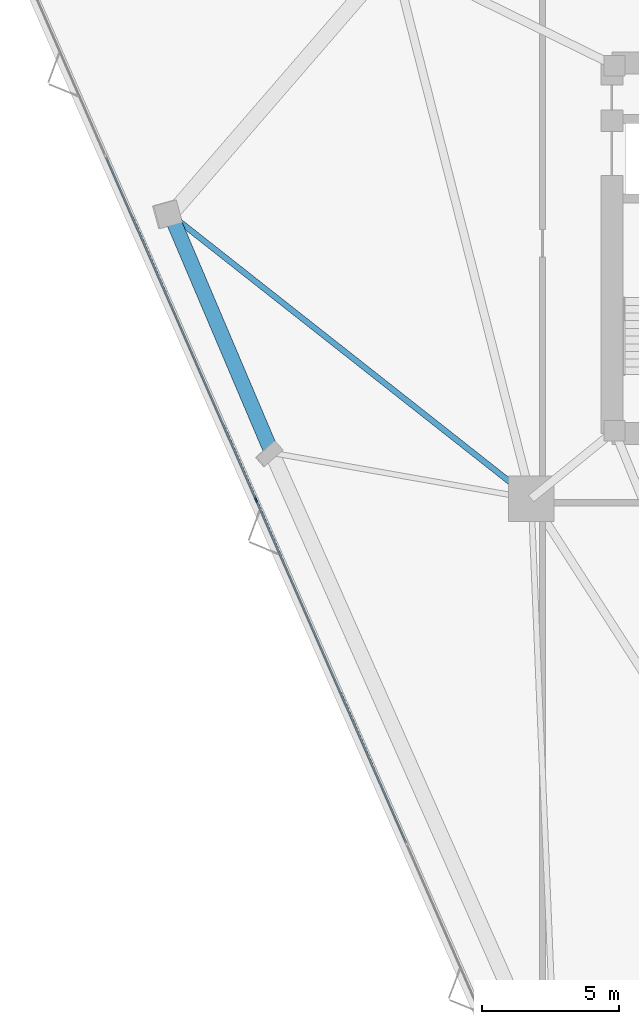
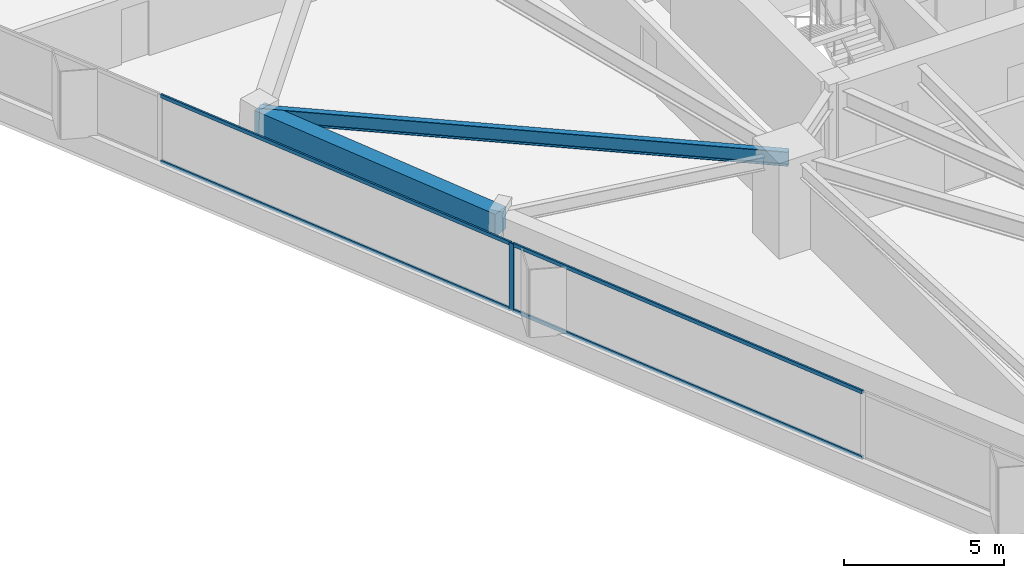
# One storey, part 6 of 20: 5 members, 2 beams, 1 element without a shape of its own.
"""IFC4 building model written with IfcOpenShell, lengths in metres."""

from ifc_helpers import new_model, si_unit, direction, frame, origin, origin_2d, place, context, subcontext, project, spatial, rectangle, i_section, extrude, material, layer, layer_set, material_profile, profile_set, type_object, element, aggregate, save


model = new_model("IFC4")

# Units and contexts
model_context = context("Model", 3, precision=1e-05, world=origin(), true_north=direction((0.0, 1.0)))
body_context = subcontext(model_context, "Body", "Model", "MODEL_VIEW")
ifc_project = project(units=[si_unit("LENGTHUNIT", "METRE"), si_unit("AREAUNIT", "SQUARE_METRE"), si_unit("VOLUMEUNIT", "CUBIC_METRE"), si_unit("PLANEANGLEUNIT", "RADIAN"), si_unit("MASSUNIT", "GRAM", prefix="KILO")], contexts=[model_context])

# Site, building, storey
site_placement = place(None, origin())
site = spatial("IfcSite", under=ifc_project, at=site_placement, CompositionType="ELEMENT")
building_placement = place(site_placement, origin())
building = spatial("IfcBuilding", under=site, at=building_placement, Name="Talyreon Biosciences Tower", CompositionType="ELEMENT")
storey_placement = place(building_placement, frame((0.0, 0.0, 75.0)))
storey = spatial("IfcBuildingStorey", under=building, at=storey_placement, Name="L19", CompositionType="ELEMENT", Elevation=75.0)

# Curtain wall, members
ifc_material_1 = material(Name="Thermally broken aluminium and low-E glazing", Category="aluminium")
ifc_layer = layer(ifc_material_1, 0.18994140625)
ifc_layer_set = layer_set([ifc_layer], Name="Thermally broken aluminium and low-E glazing")
curtain_wall_type = type_object("IfcCurtainWallType", Name="CurtainWall_Zone2Genomics", PredefinedType="NOTDEFINED", material=ifc_layer_set)
curtain_wall_placement = place(storey_placement, origin())
curtain_wall = element("IfcCurtainWall", 1, at=curtain_wall_placement, inside=storey, type_object=curtain_wall_type, Name="L19 Unitised Curtain Wall FCW-L19-00", PredefinedType="NOTDEFINED")
ifc_material_2 = material(Name="Anodised thermally broken aluminium", Category="aluminium")
ifc_material_profile_1 = material_profile(ifc_material_2, rectangle(XDim=0.06494140625, YDim=0.179931640625, at=origin_2d()), Name="ALUM MULLION 65x180")
ifc_profile_set_1 = profile_set([ifc_material_profile_1], Name="Anodised thermally broken aluminium")
member_type_1 = type_object("IfcMemberType", Name="CWMullion_65x180", PredefinedType="MULLION", material=ifc_profile_set_1)
member_1_placement = place(storey_placement, frame((44.8994140625, 58.830078125, 0.81005859375), z_axis=(0.0, 0.0, 1.0), x_axis=(-0.916151953082, -0.400831135099, 0.0)))
member_1 = element("IfcMember", 2, at=member_1_placement, type_object=member_type_1, Name="CW3 mullion 4", PredefinedType="MULLION", context=body_context, shape_type="SweptSolid", body=[
    extrude(rectangle(XDim=0.06494140625, YDim=0.179931640625, at=origin_2d()), origin(), (0.0, 0.0, 1.0), 2.56494140625),
])
ifc_material_profile_2 = material_profile(ifc_material_2, rectangle(XDim=0.06494140625, YDim=0.139892578125, at=origin_2d()), Name="ALUM TRANSOM 65x140")
ifc_profile_set_2 = profile_set([ifc_material_profile_2], Name="Anodised thermally broken aluminium")
member_type_2 = type_object("IfcMemberType", Name="CWTransom_65x140", PredefinedType="USERDEFINED", material=ifc_profile_set_2)
member_2_placement = place(storey_placement, frame((50.356201171875, 46.357421875, 0.842529296875), z_axis=(-0.40082449197, 0.916154859528, 0.0), x_axis=(-0.916154859528, -0.40082449197, 0.0)))
member_2 = element("IfcMember", 3, at=member_2_placement, type_object=member_type_2, Name="CW3 transom 3.1", ObjectType="TRANSOM", PredefinedType="USERDEFINED", context=body_context, shape_type="SweptSolid", body=[
    extrude(rectangle(XDim=0.06494140625, YDim=0.139892578125, at=origin_2d()), origin(), (0.0, 0.0, 1.0), 13.58154296875),
])
member_3_placement = place(storey_placement, frame((50.356201171875, 46.357421875, 3.342529296875), z_axis=(-0.40082449197, 0.916154859528, 0.0), x_axis=(-0.916154859528, -0.40082449197, 0.0)))
member_3 = element("IfcMember", 4, at=member_3_placement, type_object=member_type_2, Name="CW3 transom 3.2", ObjectType="TRANSOM", PredefinedType="USERDEFINED", context=body_context, shape_type="SweptSolid", body=[
    extrude(rectangle(XDim=0.06494140625, YDim=0.139892578125, at=origin_2d()), origin(), (0.0, 0.0, 1.0), 13.58154296875),
])
member_4_placement = place(storey_placement, frame((44.88623046875, 58.85986328125, 0.842529296875), z_axis=(-0.40082449197, 0.916154859528, 0.0), x_axis=(-0.916154859528, -0.40082449197, 0.0)))
member_4 = element("IfcMember", 5, at=member_4_placement, type_object=member_type_2, Name="CW3 transom 4.1", ObjectType="TRANSOM", PredefinedType="USERDEFINED", context=body_context, shape_type="SweptSolid", body=[
    extrude(rectangle(XDim=0.06494140625, YDim=0.139892578125, at=origin_2d()), origin(), (0.0, 0.0, 1.0), 13.58154296875),
])
member_5_placement = place(storey_placement, frame((44.88623046875, 58.85986328125, 3.342529296875), z_axis=(-0.40082449197, 0.916154859528, 0.0), x_axis=(-0.916154859528, -0.40082449197, 0.0)))
member_5 = element("IfcMember", 6, at=member_5_placement, type_object=member_type_2, Name="CW3 transom 4.2", ObjectType="TRANSOM", PredefinedType="USERDEFINED", context=body_context, shape_type="SweptSolid", body=[
    extrude(rectangle(XDim=0.06494140625, YDim=0.139892578125, at=origin_2d()), origin(), (0.0, 0.0, 1.0), 13.58154296875),
])
aggregate(curtain_wall, [member_1, member_2, member_3, member_4, member_5])

# Beams
ifc_material_3 = material(Name="Precast concrete C45/55", Category="concrete")
ifc_material_profile_3 = material_profile(ifc_material_3, rectangle(XDim=0.550048828125, YDim=0.85009765625, at=origin_2d()), Name="RCB 550x850")
ifc_profile_set_3 = profile_set([ifc_material_profile_3], Name="Precast concrete C45/55")
beam_type_1 = type_object("IfcBeamType", Name="ExpressedSpandrel_550x850", PredefinedType="SPANDREL", material=ifc_profile_set_3)
beam_1_placement = place(storey_placement, frame((41.789794921875, 69.21923828125, 2.949951171875), z_axis=(0.391009525807, -0.920386631111, 0.0), x_axis=(0.920386631111, 0.391009525807, 0.0)))
element("IfcBeam", 7, at=beam_1_placement, inside=storey, type_object=beam_type_1, Name="L19 Expressed Horizontal Concrete Spandrel 10", PredefinedType="SPANDREL", context=body_context, shape_type="SweptSolid", body=[
    extrude(rectangle(XDim=0.550048828125, YDim=0.85009765625, at=origin_2d()), origin(), (0.0, 0.0, 1.0), 9.423828125),
])
ifc_material_4 = material(Name="Steel SM355", Category="steel")
ifc_material_profile_4 = material_profile(ifc_material_4, i_section(OverallWidth=0.2099609375, OverallDepth=0.550048828125, WebThickness=0.010986328125, FlangeThickness=0.01708984375, FilletRadius=0.02392578125, at=origin_2d()), Name="IPE550")
ifc_profile_set_4 = profile_set([ifc_material_profile_4], Name="Steel SM355")
beam_type_2 = type_object("IfcBeamType", Name="SteelJoist_IPE550", PredefinedType="JOIST", material=ifc_profile_set_4)
beam_2_placement = place(storey_placement, frame((54.913818359375, 58.88037109375, 3.10009765625), z_axis=(-0.785528695577, 0.618825232538, 0.0), x_axis=(-0.618825232538, -0.785528695577, 0.0)))
element("IfcBeam", 8, at=beam_2_placement, inside=storey, type_object=beam_type_2, Name="L19 Radial Composite Floor Joist PC-SW1", PredefinedType="JOIST", context=body_context, shape_type="SweptSolid", body=[
    extrude(i_section(OverallWidth=0.2099609375, OverallDepth=0.550048828125, WebThickness=0.010986328125, FlangeThickness=0.01708984375, FilletRadius=0.02392578125, at=origin_2d()), origin(), (0.0, 0.0, 1.0), 16.707275390625),
])

save(model, "model.ifc")
